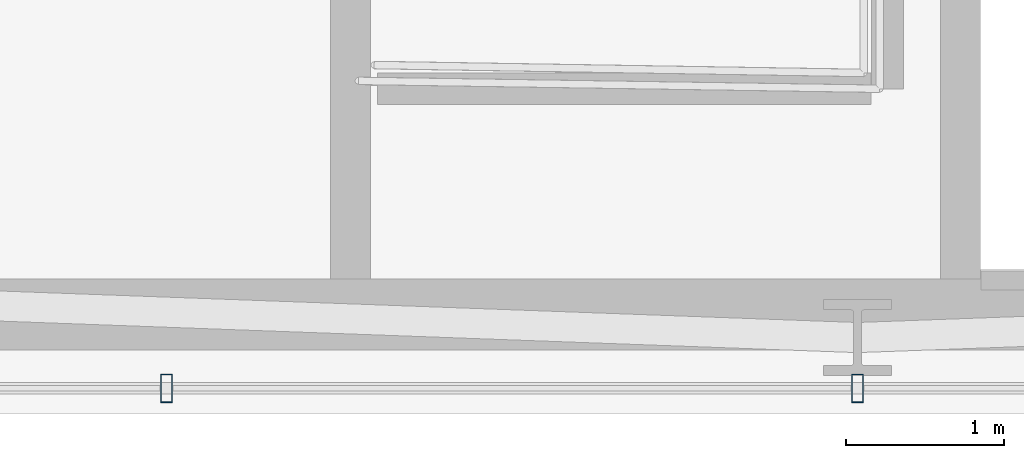
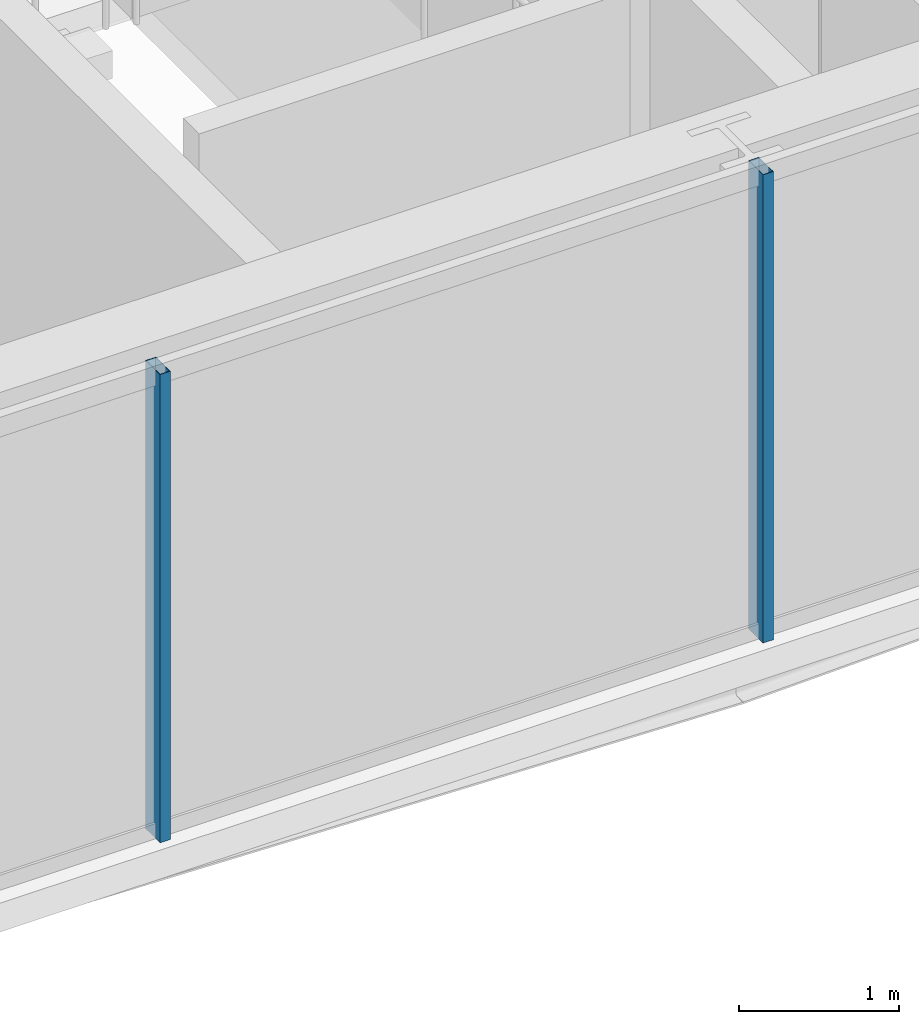
# One storey, part 7 of 32: 2 members, 1 element without a shape of its own.
"""IFC4 building model written with IfcOpenShell, lengths in metres."""

from ifc_helpers import new_model, si_unit, direction, frame, origin, origin_2d, place, context, subcontext, project, spatial, hollow_rectangle, extrude, material, layer, layer_set, material_profile, profile_set, type_object, element, aggregate, save


model = new_model("IFC4")

# Units and contexts
model_context = context("Model", 3, precision=1e-05, world=origin(), true_north=direction((0.0, 1.0)))
body_context = subcontext(model_context, "Body", "Model", "MODEL_VIEW")
ifc_project = project(units=[si_unit("LENGTHUNIT", "METRE"), si_unit("AREAUNIT", "SQUARE_METRE"), si_unit("VOLUMEUNIT", "CUBIC_METRE"), si_unit("PLANEANGLEUNIT", "RADIAN"), si_unit("MASSUNIT", "GRAM", prefix="KILO")], contexts=[model_context])

# Site, building, storey
site_placement = place(None, origin())
site = spatial("IfcSite", under=ifc_project, at=site_placement, CompositionType="ELEMENT")
building_placement = place(site_placement, origin())
building = spatial("IfcBuilding", under=site, at=building_placement, Name="Ndaravel Arena Tower", CompositionType="ELEMENT")
storey_placement = place(building_placement, frame((0.0, 0.0, 134.60009765625)))
storey = spatial("IfcBuildingStorey", under=building, at=storey_placement, Name="L31", CompositionType="ELEMENT", Elevation=134.60009765625)

# Curtain wall, members
ifc_material_1 = material(Name="Aluminium", Category="aluminium")
ifc_layer = layer(ifc_material_1, 0.179931640625)
ifc_layer_set = layer_set([ifc_layer], Name="Aluminium")
curtain_wall_type = type_object("IfcCurtainWallType", Name="CW-SYS-03", PredefinedType="NOTDEFINED", material=ifc_layer_set)
curtain_wall_placement = place(storey_placement, origin())
curtain_wall = element("IfcCurtainWall", 1, at=curtain_wall_placement, inside=storey, type_object=curtain_wall_type, Name="L31 Faceted Crystal Curtain Wall CW-L31-E01", PredefinedType="NOTDEFINED")
ifc_material_2 = material(Name="Aluminium", Category="aluminium")
ifc_material_profile = material_profile(ifc_material_2, hollow_rectangle(XDim=0.074951171875, YDim=0.179931640625, WallThickness=0.00390625, at=origin_2d()), Name="CW MULLION 75x180x4")
ifc_profile_set = profile_set([ifc_material_profile], Name="Aluminium")
member_type = type_object("IfcMemberType", Name="MEM-CW-MUL180", PredefinedType="MULLION", material=ifc_profile_set)
member_1_placement = place(storey_placement, frame((37.638916015625, 5.159912109375, 0.0), z_axis=(0.0, 0.0, 1.0), x_axis=(1.0, 0.0, 0.0)))
member_1 = element("IfcMember", 2, at=member_1_placement, type_object=member_type, Name="CW-L31-E01 Mullion 03", PredefinedType="MULLION", context=body_context, shape_type="SweptSolid", body=[
    extrude(hollow_rectangle(XDim=0.074951171875, YDim=0.179931640625, WallThickness=0.00390625, at=origin_2d()), origin(), (0.0, 0.0, 1.0), 3.579833984375),
])
member_2_placement = place(storey_placement, frame((42.0, 5.159912109375, 0.0), z_axis=(0.0, 0.0, 1.0), x_axis=(1.0, 0.0, 0.0)))
member_2 = element("IfcMember", 3, at=member_2_placement, type_object=member_type, Name="CW-L31-E01 Mullion 04", PredefinedType="MULLION", context=body_context, shape_type="SweptSolid", body=[
    extrude(hollow_rectangle(XDim=0.074951171875, YDim=0.179931640625, WallThickness=0.00390625, at=origin_2d()), origin(), (0.0, 0.0, 1.0), 3.579833984375),
])
aggregate(curtain_wall, [member_1, member_2])

save(model, "model.ifc")
